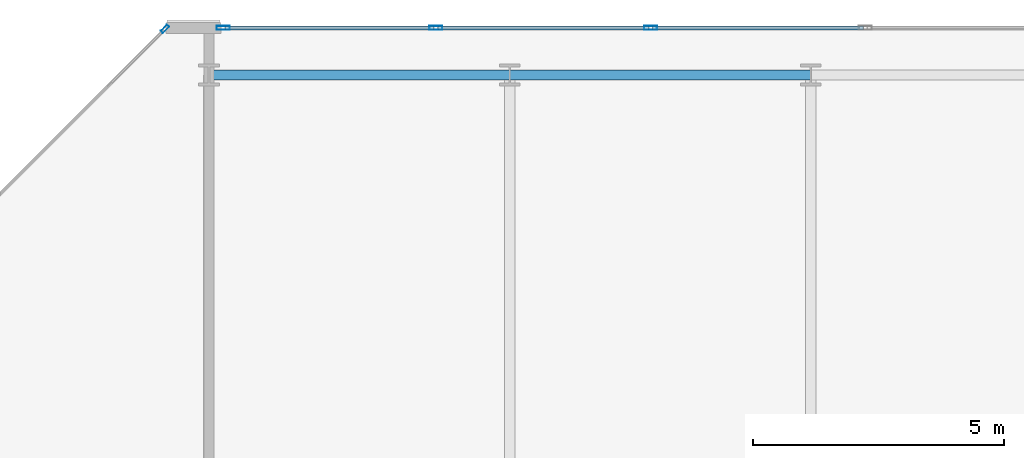
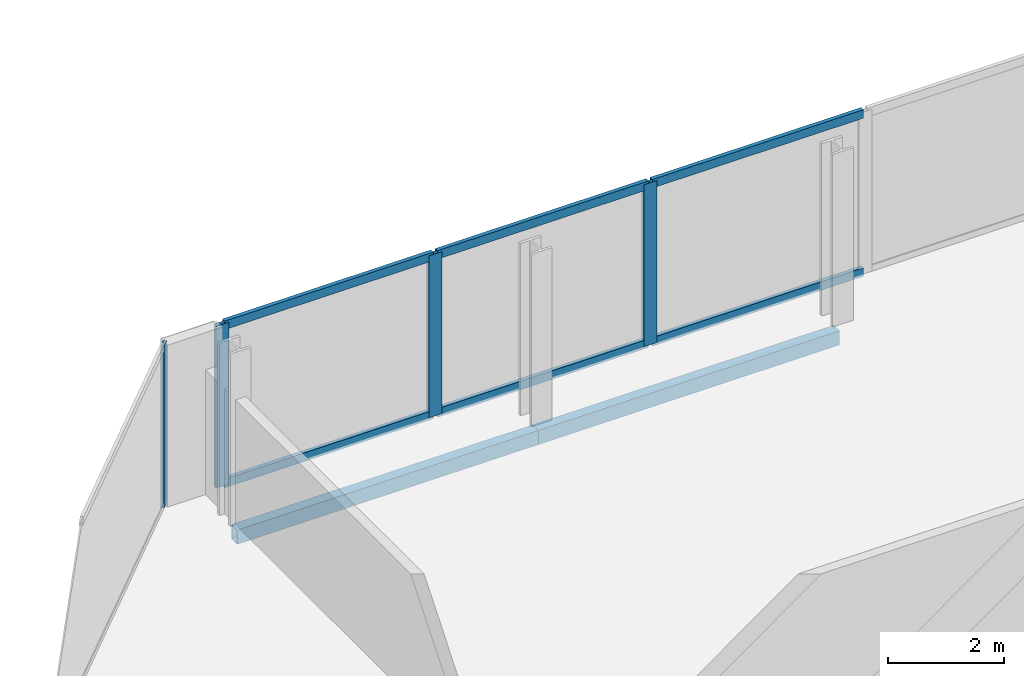
# One storey, part 10 of 16: 10 members, 2 beams, 2 elements without a shape of their own.
"""IFC4 building model written with IfcOpenShell, lengths in metres."""

from ifc_helpers import new_model, si_unit, direction, frame, origin, origin_2d, place, context, subcontext, project, spatial, hollow_rectangle, extrude, material, layer, layer_set, material_profile, profile_set, type_object, element, aggregate, save


model = new_model("IFC4")

# Units and contexts
model_context = context("Model", 3, precision=1e-05, world=origin(), true_north=direction((0.0, 1.0)))
body_context = subcontext(model_context, "Body", "Model", "MODEL_VIEW")
ifc_project = project(units=[si_unit("LENGTHUNIT", "METRE"), si_unit("AREAUNIT", "SQUARE_METRE"), si_unit("VOLUMEUNIT", "CUBIC_METRE"), si_unit("PLANEANGLEUNIT", "RADIAN"), si_unit("MASSUNIT", "GRAM", prefix="KILO")], contexts=[model_context])

# Site, building, storey
site_placement = place(None, origin())
site = spatial("IfcSite", under=ifc_project, at=site_placement, CompositionType="ELEMENT")
building_placement = place(site_placement, origin())
building = spatial("IfcBuilding", under=site, at=building_placement, Name="Tanjung Sevakor Pilgrim Tower", CompositionType="ELEMENT")
storey_placement = place(building_placement, frame((0.0, 0.0, 271.590087890625)))
storey = spatial("IfcBuildingStorey", under=building, at=storey_placement, Name="L76", CompositionType="ELEMENT", Elevation=271.590087890625)

# Beams
ifc_material_1 = material(Name="Steel S355J2", Category="steel")
ifc_material_profile_1 = material_profile(ifc_material_1, hollow_rectangle(XDim=0.199951171875, YDim=0.300048828125, WallThickness=0.012451171875, at=origin_2d()))
ifc_profile_set_1 = profile_set([ifc_material_profile_1], Name="Steel S355J2")
beam_type = type_object("IfcBeamType", Name="BM-B-SP3-RHS_300x200x12.5", PredefinedType="SPANDREL", material=ifc_profile_set_1)
for number, where, z_axis, x_axis, name in (
    (1, (72.0, 53.949951171875, -0.3701171875), (1.0, 0.0, 0.0), (0.0, 1.0, 0.0), "L76 Spandrel EAST N-02"),
    (2, (78.0, 53.949951171875, -0.3701171875), (1.0, 0.0, 0.0), (0.0, 1.0, 0.0), "L76 Spandrel EAST N-04"),
):
    element("IfcBeam", number, at=place(storey_placement, frame(where, z_axis=z_axis, x_axis=x_axis)), inside=storey, type_object=beam_type, Name=name, PredefinedType="SPANDREL", context=body_context, shape_type="SweptSolid", body=[
        extrude(hollow_rectangle(XDim=0.199951171875, YDim=0.300048828125, WallThickness=0.012451171875, at=origin_2d()), origin(), (0.0, 0.0, 1.0), 6.0),
    ])

# Curtain wall, member
ifc_material_2 = material(Name="Aluminium 6063-T6 and Low-E Glass", Category="aluminium")
ifc_layer_1 = layer(ifc_material_2, 0.179931640625)
ifc_layer_set_1 = layer_set([ifc_layer_1], Name="CW-SYS-CHAM")
curtain_wall_type_1 = type_object("IfcCurtainWallType", Name="CW-SYS-CHAM", PredefinedType="NOTDEFINED", material=ifc_layer_set_1)
curtain_wall_1_placement = place(storey_placement, origin())
curtain_wall_1 = element("IfcCurtainWall", 3, at=curtain_wall_1_placement, inside=storey, type_object=curtain_wall_type_1, Name="L76 Curtain Wall CW-CHM-L76-EAST-5", PredefinedType="NOTDEFINED")
ifc_material_3 = material(Name="Aluminium 6063-T6", Category="aluminium")
ifc_material_profile_2 = material_profile(ifc_material_3, hollow_rectangle(XDim=0.06494140625, YDim=0.179931640625, WallThickness=0.00390625, at=origin_2d()))
ifc_profile_set_2 = profile_set([ifc_material_profile_2], Name="Aluminium 6063-T6")
member_type_1 = type_object("IfcMemberType", Name="TYPE-CWM-1", PredefinedType="MULLION", material=ifc_profile_set_2)
member_1_placement = place(storey_placement, frame((71.12255859375, 54.866943359375, 0.0), z_axis=(0.0, 0.0, 1.0), x_axis=(0.707106781187, -0.707106781187, 0.0)))
member_1 = element("IfcMember", 4, at=member_1_placement, type_object=member_type_1, Name="CW-CHM mullion 1", PredefinedType="MULLION", context=body_context, shape_type="SweptSolid", body=[
    extrude(hollow_rectangle(XDim=0.06494140625, YDim=0.179931640625, WallThickness=0.00390625, at=origin_2d()), origin(), (0.0, 0.0, 1.0), 3.409912109375),
])
aggregate(curtain_wall_1, [member_1])

# Curtain wall, members
ifc_material_4 = material(Name="Aluminium 6063-T6 and Low-E Glass", Category="aluminium")
ifc_layer_2 = layer(ifc_material_4, 0.219970703125)
ifc_layer_set_2 = layer_set([ifc_layer_2], Name="CW-SYS-CRNE")
curtain_wall_type_2 = type_object("IfcCurtainWallType", Name="CW-SYS-CRNE", PredefinedType="NOTDEFINED", material=ifc_layer_set_2)
curtain_wall_2_placement = place(storey_placement, origin())
curtain_wall_2 = element("IfcCurtainWall", 5, at=curtain_wall_2_placement, inside=storey, type_object=curtain_wall_type_2, Name="L76 Curtain Wall CW-CRN-L76-EAST-4-1", PredefinedType="NOTDEFINED")
ifc_material_5 = material(Name="Aluminium 6063-T6", Category="aluminium")
ifc_material_profile_3 = material_profile(ifc_material_5, hollow_rectangle(XDim=0.080078125, YDim=0.260009765625, WallThickness=0.0048828125, at=origin_2d()))
ifc_profile_set_3 = profile_set([ifc_material_profile_3], Name="Aluminium 6063-T6")
member_type_2 = type_object("IfcMemberType", Name="TYPE-CWM-3", PredefinedType="MULLION", material=ifc_profile_set_3)
member_2_placement = place(storey_placement, frame((80.80908203125, 54.889892578125, 0.0), z_axis=(0.0, 0.0, 1.0), x_axis=(0.0, -1.0, 0.0)))
member_2 = element("IfcMember", 6, at=member_2_placement, type_object=member_type_2, Name="CW-CRE mullion 4", PredefinedType="MULLION", context=body_context, shape_type="SweptSolid", body=[
    extrude(hollow_rectangle(XDim=0.080078125, YDim=0.260009765625, WallThickness=0.0048828125, at=origin_2d()), origin(), (0.0, 0.0, 1.0), 3.409912109375),
])
member_3_placement = place(storey_placement, frame((76.52734375, 54.889892578125, 0.0), z_axis=(0.0, 0.0, 1.0), x_axis=(0.0, -1.0, 0.0)))
member_3 = element("IfcMember", 7, at=member_3_placement, type_object=member_type_2, Name="CW-CRE mullion 5", PredefinedType="MULLION", context=body_context, shape_type="SweptSolid", body=[
    extrude(hollow_rectangle(XDim=0.080078125, YDim=0.260009765625, WallThickness=0.0048828125, at=origin_2d()), origin(), (0.0, 0.0, 1.0), 3.409912109375),
])
member_4_placement = place(storey_placement, frame((72.28564453125, 54.889892578125, 0.0), z_axis=(0.0, 0.0, 1.0), x_axis=(0.0, -1.0, 0.0)))
member_4 = element("IfcMember", 8, at=member_4_placement, type_object=member_type_2, Name="CW-CRE mullion 6", PredefinedType="MULLION", context=body_context, shape_type="SweptSolid", body=[
    extrude(hollow_rectangle(XDim=0.080078125, YDim=0.260009765625, WallThickness=0.0048828125, at=origin_2d()), origin(), (0.0, 0.0, 1.0), 3.409912109375),
])
ifc_material_6 = material(Name="Aluminium 6063-T6", Category="aluminium")
ifc_material_profile_4 = material_profile(ifc_material_6, hollow_rectangle(XDim=0.080078125, YDim=0.179931640625, WallThickness=0.0048828125, at=origin_2d()))
ifc_profile_set_4 = profile_set([ifc_material_profile_4], Name="Aluminium 6063-T6")
member_type_3 = type_object("IfcMemberType", Name="TYPE-CWT-3", PredefinedType="USERDEFINED", material=ifc_profile_set_4)
member_5_placement = place(storey_placement, frame((85.05078125, 54.889892578125, 0.039794921875), z_axis=(-1.0, 0.0, 0.0), x_axis=(0.0, -1.0, 0.0)))
member_5 = element("IfcMember", 9, at=member_5_placement, type_object=member_type_3, Name="CW-CRE transom 3.1", ObjectType="TRANSOM", PredefinedType="USERDEFINED", context=body_context, shape_type="SweptSolid", body=[
    extrude(hollow_rectangle(XDim=0.080078125, YDim=0.179931640625, WallThickness=0.0048828125, at=origin_2d()), origin(), (0.0, 0.0, 1.0), 4.20166015625),
])
member_6_placement = place(storey_placement, frame((85.05078125, 54.889892578125, 3.369873046875), z_axis=(-1.0, 0.0, 0.0), x_axis=(0.0, -1.0, 0.0)))
member_6 = element("IfcMember", 10, at=member_6_placement, type_object=member_type_3, Name="CW-CRE transom 3.2", ObjectType="TRANSOM", PredefinedType="USERDEFINED", context=body_context, shape_type="SweptSolid", body=[
    extrude(hollow_rectangle(XDim=0.080078125, YDim=0.179931640625, WallThickness=0.0048828125, at=origin_2d()), origin(), (0.0, 0.0, 1.0), 4.20166015625),
])
member_7_placement = place(storey_placement, frame((80.76904296875, 54.889892578125, 0.039794921875), z_axis=(-1.0, 0.0, 0.0), x_axis=(0.0, -1.0, 0.0)))
member_7 = element("IfcMember", 11, at=member_7_placement, type_object=member_type_3, Name="CW-CRE transom 4.1", ObjectType="TRANSOM", PredefinedType="USERDEFINED", context=body_context, shape_type="SweptSolid", body=[
    extrude(hollow_rectangle(XDim=0.080078125, YDim=0.179931640625, WallThickness=0.0048828125, at=origin_2d()), origin(), (0.0, 0.0, 1.0), 4.20166015625),
])
member_8_placement = place(storey_placement, frame((80.76904296875, 54.889892578125, 3.369873046875), z_axis=(-1.0, 0.0, 0.0), x_axis=(0.0, -1.0, 0.0)))
member_8 = element("IfcMember", 12, at=member_8_placement, type_object=member_type_3, Name="CW-CRE transom 4.2", ObjectType="TRANSOM", PredefinedType="USERDEFINED", context=body_context, shape_type="SweptSolid", body=[
    extrude(hollow_rectangle(XDim=0.080078125, YDim=0.179931640625, WallThickness=0.0048828125, at=origin_2d()), origin(), (0.0, 0.0, 1.0), 4.20166015625),
])
member_9_placement = place(storey_placement, frame((76.4873046875, 54.889892578125, 0.039794921875), z_axis=(-1.0, 0.0, 0.0), x_axis=(0.0, -1.0, 0.0)))
member_9 = element("IfcMember", 13, at=member_9_placement, type_object=member_type_3, Name="CW-CRE transom 5.1", ObjectType="TRANSOM", PredefinedType="USERDEFINED", context=body_context, shape_type="SweptSolid", body=[
    extrude(hollow_rectangle(XDim=0.080078125, YDim=0.179931640625, WallThickness=0.0048828125, at=origin_2d()), origin(), (0.0, 0.0, 1.0), 4.16162109375),
])
member_10_placement = place(storey_placement, frame((76.4873046875, 54.889892578125, 3.369873046875), z_axis=(-1.0, 0.0, 0.0), x_axis=(0.0, -1.0, 0.0)))
member_10 = element("IfcMember", 14, at=member_10_placement, type_object=member_type_3, Name="CW-CRE transom 5.2", ObjectType="TRANSOM", PredefinedType="USERDEFINED", context=body_context, shape_type="SweptSolid", body=[
    extrude(hollow_rectangle(XDim=0.080078125, YDim=0.179931640625, WallThickness=0.0048828125, at=origin_2d()), origin(), (0.0, 0.0, 1.0), 4.16162109375),
])
aggregate(curtain_wall_2, [member_2, member_3, member_4, member_5, member_6, member_7, member_8, member_9, member_10])

save(model, "model.ifc")
